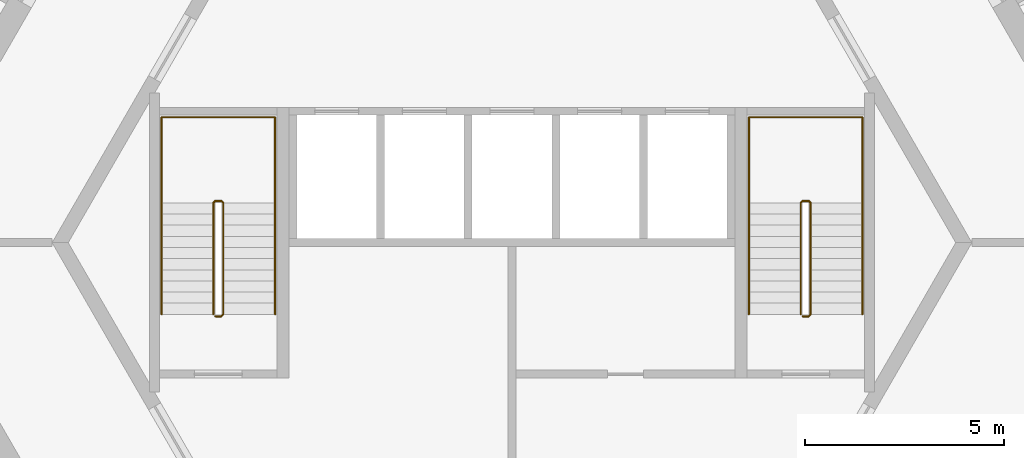
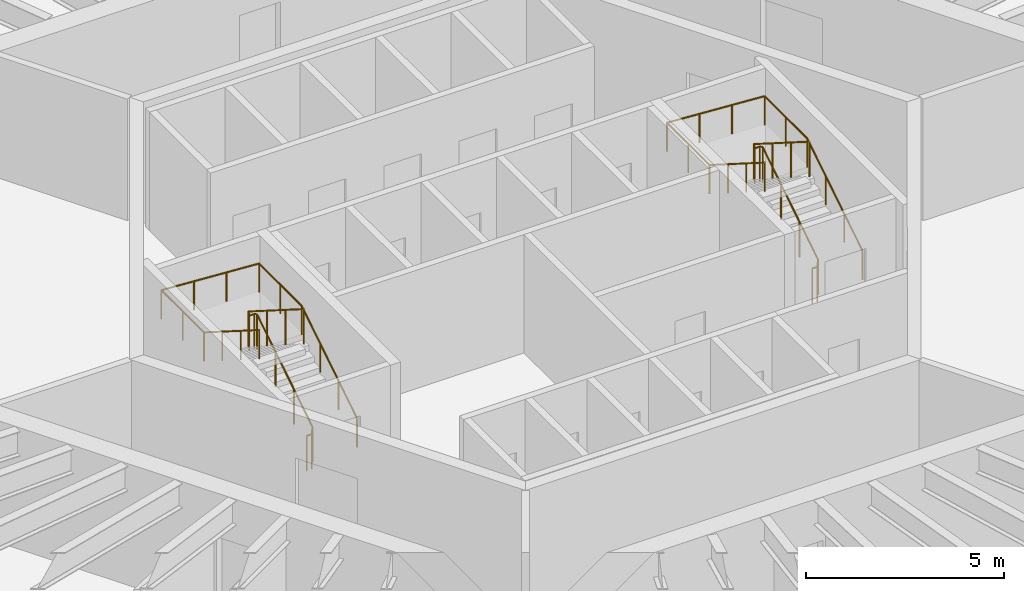
# One storey, part 11 of 11: 4 railings.
"""IFC4 building model written with IfcOpenShell, lengths in metres."""

from ifc_helpers import new_model, si_unit, direction, frame, origin, origin_2d, place, context, subcontext, project, spatial, circle, extrude, material, type_object, element, save


model = new_model("IFC4")

# Units and contexts
model_context = context("Model", 3, precision=1e-05, world=origin(), true_north=direction((0.0, 1.0)))
body_context = subcontext(model_context, "Body", "Model", "MODEL_VIEW")
ifc_project = project(units=[si_unit("LENGTHUNIT", "METRE"), si_unit("AREAUNIT", "SQUARE_METRE"), si_unit("VOLUMEUNIT", "CUBIC_METRE"), si_unit("PLANEANGLEUNIT", "RADIAN"), si_unit("MASSUNIT", "GRAM", prefix="KILO")], contexts=[model_context])

# Site, building, storey
site_placement = place(None, origin())
site = spatial("IfcSite", under=ifc_project, at=site_placement, CompositionType="ELEMENT")
building_placement = place(site_placement, origin())
building = spatial("IfcBuilding", under=site, at=building_placement, Name="Tarnside Tower", CompositionType="ELEMENT")
storey_placement = place(building_placement, frame((0.0, 0.0, 41.39990234375)))
storey = spatial("IfcBuildingStorey", under=building, at=storey_placement, Name="L07", CompositionType="ELEMENT", Elevation=41.39990234375)

# Railings
ifc_material = material(Name="Stainless steel", Category="steel")
railing_type_1 = type_object("IfcRailingType", Name="Stair guard 1100", PredefinedType="GUARDRAIL", material=ifc_material)
railing_1_placement = place(storey_placement, frame((7.300048828125, -1.85009765625, 0.0)))
element("IfcRailing", 1, at=railing_1_placement, inside=storey, type_object=railing_type_1, Name="L07 ST1 stair guard 1", PredefinedType="GUARDRAIL", context=body_context, shape_type="SweptSolid", body=[
    extrude(circle(Radius=0.02392578125, at=origin_2d()), frame((0.0, 0.0, 1.076171875), z_axis=(1.0, 0.0, 0.0), x_axis=(0.0, 1.0, 0.0)), (0.0, 0.0, 1.0), 0.14990234375),
    extrude(circle(Radius=0.02392578125, at=origin_2d()), frame((0.14990234375, 0.0, 1.076171875), z_axis=(0.261922500866, 0.261922500866, 0.928866625022), x_axis=(-0.707106781187, 0.707106781187, 0.0)), (0.0, 0.0, 1.0), 0.191162109375),
    extrude(circle(Radius=0.02392578125, at=origin_2d()), frame((0.199951171875, 0.050048828125, 1.25341796875), z_axis=(0.0, 0.844908973607, 0.534910110503), x_axis=(-1.0, 0.0, 0.0)), (0.0, 0.0, 1.0), 3.31396484375),
    extrude(circle(Radius=0.02392578125, at=origin_2d()), frame((0.199951171875, 2.85009765625, 3.0263671875), z_axis=(-0.707106781187, 0.707106781187, 0.0), x_axis=(-0.707106781187, -0.707106781187, 0.0)), (0.0, 0.0, 1.0), 0.07080078125),
    extrude(circle(Radius=0.02392578125, at=origin_2d()), frame((0.14990234375, 2.900146484375, 3.0263671875), z_axis=(-1.0, 0.0, 0.0), x_axis=(0.0, -1.0, 0.0)), (0.0, 0.0, 1.0), 0.14990234375),
    extrude(circle(Radius=0.02392578125, at=origin_2d()), frame((0.0, 2.900146484375, 3.0263671875), z_axis=(-0.262233686654, -0.262233686654, 0.928691007369), x_axis=(0.707106781187, -0.707106781187, 0.0)), (0.0, 0.0, 1.0), 0.19091796875),
    extrude(circle(Radius=0.02392578125, at=origin_2d()), frame((-0.050048828125, 2.85009765625, 3.20361328125), z_axis=(0.0, -0.844908973607, 0.534910110503), x_axis=(1.0, 0.0, 0.0)), (0.0, 0.0, 1.0), 3.31396484375),
    extrude(circle(Radius=0.02099609375, at=origin_2d()), origin(), (0.0, 0.0, 1.0), 1.052001953125),
    extrude(circle(Radius=0.02099609375, at=origin_2d()), frame((0.14990234375, 0.0, 0.0)), (0.0, 0.0, 1.0), 1.052001953125),
    extrude(circle(Radius=0.02099609375, at=origin_2d()), frame((0.199951171875, 0.050048828125, 0.177490234375)), (0.0, 0.0, 1.0), 1.052001953125),
    extrude(circle(Radius=0.02099609375, at=origin_2d()), frame((0.199951171875, 0.9833984375, 0.768310546875)), (0.0, 0.0, 1.0), 1.052001953125),
    extrude(circle(Radius=0.02099609375, at=origin_2d()), frame((0.199951171875, 1.916748046875, 1.359375)), (0.0, 0.0, 1.0), 1.052001953125),
    extrude(circle(Radius=0.02099609375, at=origin_2d()), frame((0.199951171875, 2.85009765625, 1.9501953125)), (0.0, 0.0, 1.0), 1.052001953125),
    extrude(circle(Radius=0.02099609375, at=origin_2d()), frame((0.14990234375, 2.900146484375, 1.9501953125)), (0.0, 0.0, 1.0), 1.052001953125),
    extrude(circle(Radius=0.02099609375, at=origin_2d()), frame((0.0, 2.900146484375, 1.9501953125)), (0.0, 0.0, 1.0), 1.052001953125),
    extrude(circle(Radius=0.02099609375, at=origin_2d()), frame((-0.050048828125, 2.85009765625, 2.12744140625)), (0.0, 0.0, 1.0), 1.052001953125),
    extrude(circle(Radius=0.02099609375, at=origin_2d()), frame((-0.050048828125, 1.916748046875, 2.71826171875)), (0.0, 0.0, 1.0), 1.052001953125),
    extrude(circle(Radius=0.02099609375, at=origin_2d()), frame((-0.050048828125, 0.9833984375, 3.309326171875)), (0.0, 0.0, 1.0), 1.052001953125),
    extrude(circle(Radius=0.02099609375, at=origin_2d()), frame((-0.050048828125, 0.050048828125, 3.900146484375)), (0.0, 0.0, 1.0), 1.052001953125),
])
railing_2_placement = place(storey_placement, frame((-7.449951171875, -1.85009765625, 0.0)))
element("IfcRailing", 2, at=railing_2_placement, inside=storey, type_object=railing_type_1, Name="L07 ST2 stair guard 1", PredefinedType="GUARDRAIL", context=body_context, shape_type="SweptSolid", body=[
    extrude(circle(Radius=0.02392578125, at=origin_2d()), frame((0.0, 0.0, 1.076171875), z_axis=(1.0, 0.0, 0.0), x_axis=(0.0, 1.0, 0.0)), (0.0, 0.0, 1.0), 0.14990234375),
    extrude(circle(Radius=0.02392578125, at=origin_2d()), frame((0.14990234375, 0.0, 1.076171875), z_axis=(0.261922500866, 0.261922500866, 0.928866625022), x_axis=(-0.707106781187, 0.707106781187, 0.0)), (0.0, 0.0, 1.0), 0.191162109375),
    extrude(circle(Radius=0.02392578125, at=origin_2d()), frame((0.199951171875, 0.050048828125, 1.25341796875), z_axis=(0.0, 0.844908973607, 0.534910110503), x_axis=(-1.0, 0.0, 0.0)), (0.0, 0.0, 1.0), 3.31396484375),
    extrude(circle(Radius=0.02392578125, at=origin_2d()), frame((0.199951171875, 2.85009765625, 3.0263671875), z_axis=(-0.707106781187, 0.707106781187, 0.0), x_axis=(-0.707106781187, -0.707106781187, 0.0)), (0.0, 0.0, 1.0), 0.07080078125),
    extrude(circle(Radius=0.02392578125, at=origin_2d()), frame((0.14990234375, 2.900146484375, 3.0263671875), z_axis=(-1.0, 0.0, 0.0), x_axis=(0.0, -1.0, 0.0)), (0.0, 0.0, 1.0), 0.14990234375),
    extrude(circle(Radius=0.02392578125, at=origin_2d()), frame((0.0, 2.900146484375, 3.0263671875), z_axis=(-0.262233686654, -0.262233686654, 0.928691007369), x_axis=(0.707106781187, -0.707106781187, 0.0)), (0.0, 0.0, 1.0), 0.19091796875),
    extrude(circle(Radius=0.02392578125, at=origin_2d()), frame((-0.050048828125, 2.85009765625, 3.20361328125), z_axis=(0.0, -0.844908973607, 0.534910110503), x_axis=(1.0, 0.0, 0.0)), (0.0, 0.0, 1.0), 3.31396484375),
    extrude(circle(Radius=0.02099609375, at=origin_2d()), origin(), (0.0, 0.0, 1.0), 1.052001953125),
    extrude(circle(Radius=0.02099609375, at=origin_2d()), frame((0.14990234375, 0.0, 0.0)), (0.0, 0.0, 1.0), 1.052001953125),
    extrude(circle(Radius=0.02099609375, at=origin_2d()), frame((0.199951171875, 0.050048828125, 0.177490234375)), (0.0, 0.0, 1.0), 1.052001953125),
    extrude(circle(Radius=0.02099609375, at=origin_2d()), frame((0.199951171875, 0.9833984375, 0.768310546875)), (0.0, 0.0, 1.0), 1.052001953125),
    extrude(circle(Radius=0.02099609375, at=origin_2d()), frame((0.199951171875, 1.916748046875, 1.359375)), (0.0, 0.0, 1.0), 1.052001953125),
    extrude(circle(Radius=0.02099609375, at=origin_2d()), frame((0.199951171875, 2.85009765625, 1.9501953125)), (0.0, 0.0, 1.0), 1.052001953125),
    extrude(circle(Radius=0.02099609375, at=origin_2d()), frame((0.14990234375, 2.900146484375, 1.9501953125)), (0.0, 0.0, 1.0), 1.052001953125),
    extrude(circle(Radius=0.02099609375, at=origin_2d()), frame((0.0, 2.900146484375, 1.9501953125)), (0.0, 0.0, 1.0), 1.052001953125),
    extrude(circle(Radius=0.02099609375, at=origin_2d()), frame((-0.050048828125, 2.85009765625, 2.12744140625)), (0.0, 0.0, 1.0), 1.052001953125),
    extrude(circle(Radius=0.02099609375, at=origin_2d()), frame((-0.050048828125, 1.916748046875, 2.71826171875)), (0.0, 0.0, 1.0), 1.052001953125),
    extrude(circle(Radius=0.02099609375, at=origin_2d()), frame((-0.050048828125, 0.9833984375, 3.309326171875)), (0.0, 0.0, 1.0), 1.052001953125),
    extrude(circle(Radius=0.02099609375, at=origin_2d()), frame((-0.050048828125, 0.050048828125, 3.900146484375)), (0.0, 0.0, 1.0), 1.052001953125),
])
railing_type_2 = type_object("IfcRailingType", Name="Stair handrail 900", PredefinedType="HANDRAIL", material=ifc_material)
railing_3_placement = place(storey_placement, frame((8.800048828125, -1.800048828125, 0.177490234375)))
element("IfcRailing", 3, at=railing_3_placement, inside=storey, type_object=railing_type_2, Name="L07 ST1 stair handrail 1", PredefinedType="HANDRAIL", context=body_context, shape_type="SweptSolid", body=[
    extrude(circle(Radius=0.02392578125, at=origin_2d()), frame((0.0, 0.0, 0.8857421875), z_axis=(0.0, 0.844908973607, 0.534910110503), x_axis=(-1.0, 0.0, 0.0)), (0.0, 0.0, 1.0), 3.31396484375),
    extrude(circle(Radius=0.02392578125, at=origin_2d()), frame((0.0, 2.800048828125, 2.65869140625), z_axis=(0.0, 1.0, 0.0), x_axis=(-1.0, 0.0, 0.0)), (0.0, 0.0, 1.0), 2.14990234375),
    extrude(circle(Radius=0.02392578125, at=origin_2d()), frame((0.0, 4.949951171875, 2.65869140625), z_axis=(-0.998071825391, 0.0, 0.06206956872), x_axis=(0.0, -1.0, 0.0)), (0.0, 0.0, 1.0), 2.855712890625),
    extrude(circle(Radius=0.02392578125, at=origin_2d()), frame((-2.85009765625, 4.949951171875, 2.8359375), z_axis=(0.0, -1.0, 0.0), x_axis=(1.0, 0.0, 0.0)), (0.0, 0.0, 1.0), 2.14990234375),
    extrude(circle(Radius=0.02392578125, at=origin_2d()), frame((-2.85009765625, 2.800048828125, 2.8359375), z_axis=(0.0, -0.844908973607, 0.534910110503), x_axis=(1.0, 0.0, 0.0)), (0.0, 0.0, 1.0), 3.31396484375),
    extrude(circle(Radius=0.02099609375, at=origin_2d()), origin(), (0.0, 0.0, 1.0), 0.86181640625),
    extrude(circle(Radius=0.02099609375, at=origin_2d()), frame((0.0, 0.933349609375, 0.5908203125)), (0.0, 0.0, 1.0), 0.86181640625),
    extrude(circle(Radius=0.02099609375, at=origin_2d()), frame((0.0, 1.86669921875, 1.181884765625)), (0.0, 0.0, 1.0), 0.86181640625),
    extrude(circle(Radius=0.02099609375, at=origin_2d()), frame((0.0, 2.800048828125, 1.772705078125)), (0.0, 0.0, 1.0), 0.86181640625),
    extrude(circle(Radius=0.02099609375, at=origin_2d()), frame((0.0, 3.875, 1.772705078125)), (0.0, 0.0, 1.0), 0.86181640625),
    extrude(circle(Radius=0.02099609375, at=origin_2d()), frame((0.0, 4.949951171875, 1.772705078125)), (0.0, 0.0, 1.0), 0.86181640625),
    extrude(circle(Radius=0.02099609375, at=origin_2d()), frame((-0.949951171875, 4.949951171875, 1.831787109375)), (0.0, 0.0, 1.0), 0.86181640625),
    extrude(circle(Radius=0.02099609375, at=origin_2d()), frame((-1.900146484375, 4.949951171875, 1.890869140625)), (0.0, 0.0, 1.0), 0.86181640625),
    extrude(circle(Radius=0.02099609375, at=origin_2d()), frame((-2.85009765625, 4.949951171875, 1.949951171875)), (0.0, 0.0, 1.0), 0.86181640625),
    extrude(circle(Radius=0.02099609375, at=origin_2d()), frame((-2.85009765625, 3.875, 1.949951171875)), (0.0, 0.0, 1.0), 0.86181640625),
    extrude(circle(Radius=0.02099609375, at=origin_2d()), frame((-2.85009765625, 2.800048828125, 1.949951171875)), (0.0, 0.0, 1.0), 0.86181640625),
    extrude(circle(Radius=0.02099609375, at=origin_2d()), frame((-2.85009765625, 1.86669921875, 2.540771484375)), (0.0, 0.0, 1.0), 0.86181640625),
    extrude(circle(Radius=0.02099609375, at=origin_2d()), frame((-2.85009765625, 0.933349609375, 3.1318359375)), (0.0, 0.0, 1.0), 0.86181640625),
    extrude(circle(Radius=0.02099609375, at=origin_2d()), frame((-2.85009765625, 0.0, 3.72265625)), (0.0, 0.0, 1.0), 0.86181640625),
])
railing_4_placement = place(storey_placement, frame((-5.949951171875, -1.800048828125, 0.177490234375)))
element("IfcRailing", 4, at=railing_4_placement, inside=storey, type_object=railing_type_2, Name="L07 ST2 stair handrail 1", PredefinedType="HANDRAIL", context=body_context, shape_type="SweptSolid", body=[
    extrude(circle(Radius=0.02392578125, at=origin_2d()), frame((0.0, 0.0, 0.8857421875), z_axis=(0.0, 0.844908973607, 0.534910110503), x_axis=(-1.0, 0.0, 0.0)), (0.0, 0.0, 1.0), 3.31396484375),
    extrude(circle(Radius=0.02392578125, at=origin_2d()), frame((0.0, 2.800048828125, 2.65869140625), z_axis=(0.0, 1.0, 0.0), x_axis=(-1.0, 0.0, 0.0)), (0.0, 0.0, 1.0), 2.14990234375),
    extrude(circle(Radius=0.02392578125, at=origin_2d()), frame((0.0, 4.949951171875, 2.65869140625), z_axis=(-0.998071825391, 0.0, 0.06206956872), x_axis=(0.0, -1.0, 0.0)), (0.0, 0.0, 1.0), 2.855712890625),
    extrude(circle(Radius=0.02392578125, at=origin_2d()), frame((-2.85009765625, 4.949951171875, 2.8359375), z_axis=(0.0, -1.0, 0.0), x_axis=(1.0, 0.0, 0.0)), (0.0, 0.0, 1.0), 2.14990234375),
    extrude(circle(Radius=0.02392578125, at=origin_2d()), frame((-2.85009765625, 2.800048828125, 2.8359375), z_axis=(0.0, -0.844908973607, 0.534910110503), x_axis=(1.0, 0.0, 0.0)), (0.0, 0.0, 1.0), 3.31396484375),
    extrude(circle(Radius=0.02099609375, at=origin_2d()), origin(), (0.0, 0.0, 1.0), 0.86181640625),
    extrude(circle(Radius=0.02099609375, at=origin_2d()), frame((0.0, 0.933349609375, 0.5908203125)), (0.0, 0.0, 1.0), 0.86181640625),
    extrude(circle(Radius=0.02099609375, at=origin_2d()), frame((0.0, 1.86669921875, 1.181884765625)), (0.0, 0.0, 1.0), 0.86181640625),
    extrude(circle(Radius=0.02099609375, at=origin_2d()), frame((0.0, 2.800048828125, 1.772705078125)), (0.0, 0.0, 1.0), 0.86181640625),
    extrude(circle(Radius=0.02099609375, at=origin_2d()), frame((0.0, 3.875, 1.772705078125)), (0.0, 0.0, 1.0), 0.86181640625),
    extrude(circle(Radius=0.02099609375, at=origin_2d()), frame((0.0, 4.949951171875, 1.772705078125)), (0.0, 0.0, 1.0), 0.86181640625),
    extrude(circle(Radius=0.02099609375, at=origin_2d()), frame((-0.949951171875, 4.949951171875, 1.831787109375)), (0.0, 0.0, 1.0), 0.86181640625),
    extrude(circle(Radius=0.02099609375, at=origin_2d()), frame((-1.900146484375, 4.949951171875, 1.890869140625)), (0.0, 0.0, 1.0), 0.86181640625),
    extrude(circle(Radius=0.02099609375, at=origin_2d()), frame((-2.85009765625, 4.949951171875, 1.949951171875)), (0.0, 0.0, 1.0), 0.86181640625),
    extrude(circle(Radius=0.02099609375, at=origin_2d()), frame((-2.85009765625, 3.875, 1.949951171875)), (0.0, 0.0, 1.0), 0.86181640625),
    extrude(circle(Radius=0.02099609375, at=origin_2d()), frame((-2.85009765625, 2.800048828125, 1.949951171875)), (0.0, 0.0, 1.0), 0.86181640625),
    extrude(circle(Radius=0.02099609375, at=origin_2d()), frame((-2.85009765625, 1.86669921875, 2.540771484375)), (0.0, 0.0, 1.0), 0.86181640625),
    extrude(circle(Radius=0.02099609375, at=origin_2d()), frame((-2.85009765625, 0.933349609375, 3.1318359375)), (0.0, 0.0, 1.0), 0.86181640625),
    extrude(circle(Radius=0.02099609375, at=origin_2d()), frame((-2.85009765625, 0.0, 3.72265625)), (0.0, 0.0, 1.0), 0.86181640625),
])

save(model, "model.ifc")
